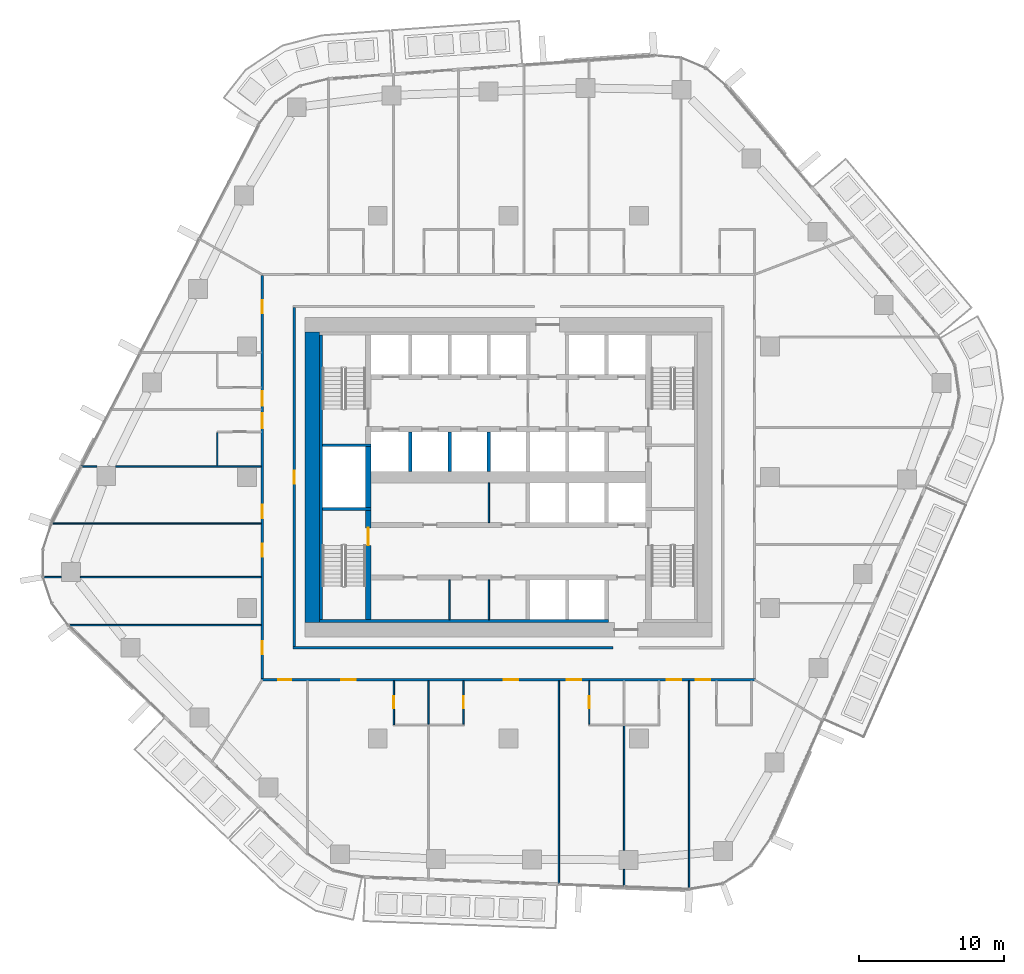
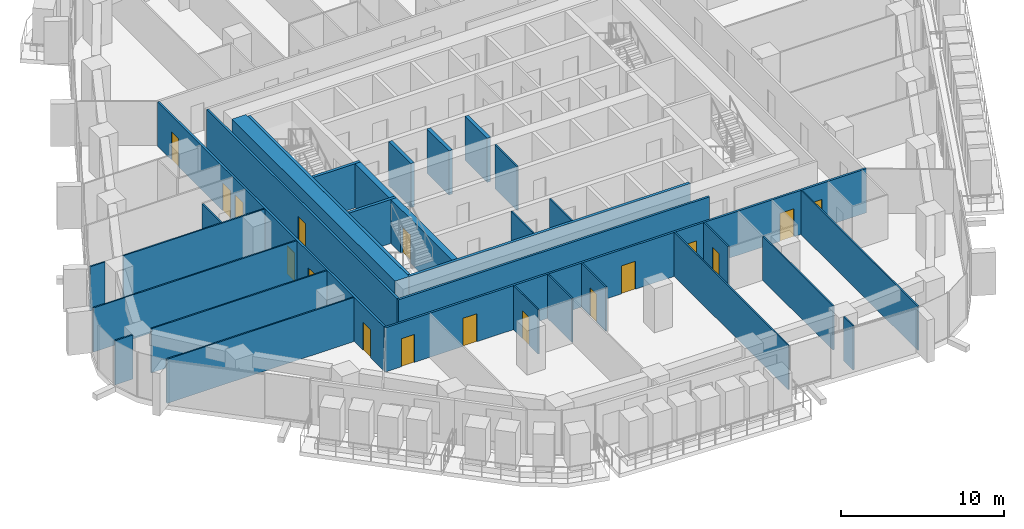
# One storey, part 12 of 24: 32 walls, 17 doors, 17 openings.
"""IFC4 building model written with IfcOpenShell, lengths in metres."""

from ifc_helpers import new_model, si_unit, direction, frame, frame_2d, origin, place, context, subcontext, project, spatial, rectangle, extrude, material, layer, layer_set, type_object, element, fill, save


model = new_model("IFC4")

# Units and contexts
model_context = context("Model", 3, precision=1e-05, world=origin(), true_north=direction((0.0, 1.0)))
body_context = subcontext(model_context, "Body", "Model", "MODEL_VIEW")
ifc_project = project(units=[si_unit("LENGTHUNIT", "METRE"), si_unit("AREAUNIT", "SQUARE_METRE"), si_unit("VOLUMEUNIT", "CUBIC_METRE"), si_unit("PLANEANGLEUNIT", "RADIAN"), si_unit("MASSUNIT", "GRAM", prefix="KILO")], contexts=[model_context])

# Site, building, storey
site_placement = place(None, origin())
site = spatial("IfcSite", under=ifc_project, at=site_placement, CompositionType="ELEMENT")
building_placement = place(site_placement, origin())
building = spatial("IfcBuilding", under=site, at=building_placement, Name="Dongbaek Canopy Tower", CompositionType="ELEMENT")
storey_placement = place(building_placement, frame((0.0, 0.0, 110.0)))
storey = spatial("IfcBuildingStorey", under=building, at=storey_placement, Name="L23", CompositionType="ELEMENT", Elevation=110.0)

# Walls
ifc_material_1 = material(Name="Concrete C60/75", Category="concrete")
ifc_layer_1 = layer(ifc_material_1, 1.0)
ifc_layer_set_1 = layer_set([ifc_layer_1], Name="Core outer wall 1000 Concrete C60/75")
wall_type_1 = type_object("IfcWallType", Name="Core outer wall 1000 Concrete C60/75", PredefinedType="SHEAR", material=ifc_layer_set_1)
wall_1_placement = place(storey_placement, frame((-13.5, -10.0, 0.0), z_axis=(0.0, 0.0, 1.0), x_axis=(0.0, 1.0, 0.0)))
element("IfcWall", 1, at=wall_1_placement, inside=storey, type_object=wall_type_1, Name="Core wall", PredefinedType="SHEAR", context=body_context, shape_type="SweptSolid", body=[
    extrude(rectangle(XDim=20.0, YDim=1.0, at=frame_2d((10.0, 0.0))), origin(), (0.0, 0.0, 1.0), 3.300048828125),
])
ifc_material_2 = material(Name="Concrete C60/75", Category="concrete")
ifc_layer_2 = layer(ifc_material_2, 0.199951171875)
ifc_layer_set_2 = layer_set([ifc_layer_2], Name="Core wall lining 200 Concrete C60/75")
wall_type_2 = type_object("IfcWallType", Name="Core wall lining 200 Concrete C60/75", PredefinedType="SHEAR", material=ifc_layer_set_2)
wall_2_placement = place(storey_placement, frame((6.89990234375, -9.89990234375, 0.0), z_axis=(0.0, 0.0, 1.0), x_axis=(-1.0, 0.0, 0.0)))
element("IfcWall", 2, at=wall_2_placement, inside=storey, type_object=wall_type_2, Name="Core wall lining", PredefinedType="SHEAR", context=body_context, shape_type="SweptSolid", body=[
    extrude(rectangle(XDim=19.89990234375, YDim=0.199951171875, at=frame_2d((9.949951171875, 0.0))), origin(), (0.0, 0.0, 1.0), 3.300048828125),
])
wall_3_placement = place(storey_placement, frame((-12.89990234375, -9.800048828125, 0.0), z_axis=(0.0, 0.0, 1.0), x_axis=(0.0, 1.0, 0.0)))
element("IfcWall", 3, at=wall_3_placement, inside=storey, type_object=wall_type_2, Name="Core wall lining", PredefinedType="SHEAR", context=body_context, shape_type="SweptSolid", body=[
    extrude(rectangle(XDim=19.60009765625, YDim=0.199951171875, at=frame_2d((9.800048828125, 0.0))), origin(), (0.0, 0.0, 1.0), 3.300048828125),
])

# Wall, openings, doors
ifc_material_3 = material(Name="Gypsum board partition, steel stud, 2 x 15 mm fire board", Category="steel")
ifc_layer_3 = layer(ifc_material_3, 0.14990234375)
ifc_layer_set_3 = layer_set([ifc_layer_3], Name="Fire-rated partition 150 gypsum board")
wall_type_3 = type_object("IfcWallType", Name="Fire-rated partition 150 gypsum board", PredefinedType="PARTITIONING", material=ifc_layer_set_3)
wall_4_placement = place(storey_placement, frame((17.02490234375, -13.949951171875, 0.0), z_axis=(0.0, 0.0, 1.0), x_axis=(-1.0, 0.0, 0.0)))
wall_4 = element("IfcWall", 4, at=wall_4_placement, inside=storey, type_object=wall_type_3, Name="Corridor partition", PredefinedType="PARTITIONING", context=body_context, shape_type="SweptSolid", body=[
    extrude(rectangle(XDim=34.0498046875, YDim=0.14990234375, at=frame_2d((17.02490234375, 0.0))), origin(), (0.0, 0.0, 1.0), 3.300048828125),
])
opening_1_placement = place(wall_4_placement, frame((31.9736328125, 0.0, 0.0)))
opening_1 = element("IfcOpeningElement", 5, at=opening_1_placement, cuts=wall_4, Name="Opening L23-D004", PredefinedType="OPENING", context=body_context, shape_type="SweptSolid", body=[
    extrude(rectangle(XDim=0.89990234375, YDim=2.10009765625, at=frame_2d((0.449951171875, 1.050048828125))), frame((0.0, 0.0849609375, 0.0), z_axis=(0.0, -1.0, 0.0), x_axis=(1.0, 0.0, 0.0)), (0.0, 0.0, 1.0), 0.169921875),
])
opening_2_placement = place(wall_4_placement, frame((27.543212890625, 0.0, 0.0)))
opening_2 = element("IfcOpeningElement", 6, at=opening_2_placement, cuts=wall_4, Name="Opening L23-D006", PredefinedType="OPENING", context=body_context, shape_type="SweptSolid", body=[
    extrude(rectangle(XDim=1.0, YDim=2.10009765625, at=frame_2d((0.5, 1.050048828125))), frame((0.0, 0.0849609375, 0.0), z_axis=(0.0, -1.0, 0.0), x_axis=(1.0, 0.0, 0.0)), (0.0, 0.0, 1.0), 0.169921875),
])
opening_3_placement = place(wall_4_placement, frame((16.332763671875, 0.0, 0.0)))
opening_3 = element("IfcOpeningElement", 7, at=opening_3_placement, cuts=wall_4, Name="Opening L23-D008", PredefinedType="OPENING", context=body_context, shape_type="SweptSolid", body=[
    extrude(rectangle(XDim=1.0, YDim=2.10009765625, at=frame_2d((0.5, 1.050048828125))), frame((0.0, 0.0849609375, 0.0), z_axis=(0.0, -1.0, 0.0), x_axis=(1.0, 0.0, 0.0)), (0.0, 0.0, 1.0), 0.169921875),
])
opening_4_placement = place(wall_4_placement, frame((12.005615234375, 0.0, 0.0)))
opening_4 = element("IfcOpeningElement", 8, at=opening_4_placement, cuts=wall_4, Name="Opening L23-D010", PredefinedType="OPENING", context=body_context, shape_type="SweptSolid", body=[
    extrude(rectangle(XDim=1.0, YDim=2.10009765625, at=frame_2d((0.5, 1.050048828125))), frame((0.0, 0.0849609375, 0.0), z_axis=(0.0, -1.0, 0.0), x_axis=(1.0, 0.0, 0.0)), (0.0, 0.0, 1.0), 0.169921875),
])
opening_5_placement = place(wall_4_placement, frame((5.123779296875, 0.0, 0.0)))
opening_5 = element("IfcOpeningElement", 9, at=opening_5_placement, cuts=wall_4, Name="Opening L23-D012", PredefinedType="OPENING", context=body_context, shape_type="SweptSolid", body=[
    extrude(rectangle(XDim=1.0, YDim=2.10009765625, at=frame_2d((0.5, 1.050048828125))), frame((0.0, 0.0849609375, 0.0), z_axis=(0.0, -1.0, 0.0), x_axis=(1.0, 0.0, 0.0)), (0.0, 0.0, 1.0), 0.169921875),
])
opening_6_placement = place(wall_4_placement, frame((3.14404296875, 0.0, 0.0)))
opening_6 = element("IfcOpeningElement", 10, at=opening_6_placement, cuts=wall_4, Name="Opening L23-D014", PredefinedType="OPENING", context=body_context, shape_type="SweptSolid", body=[
    extrude(rectangle(XDim=1.0, YDim=2.10009765625, at=frame_2d((0.5, 1.050048828125))), frame((0.0, 0.0849609375, 0.0), z_axis=(0.0, -1.0, 0.0), x_axis=(1.0, 0.0, 0.0)), (0.0, 0.0, 1.0), 0.169921875),
])
ifc_material_4 = material(Name="Timber veneered door leaf", Category="wood")
door_type_1 = type_object("IfcDoorType", Name="Guest room door 1000 x 2100", OperationType="SINGLE_SWING_LEFT", PredefinedType="DOOR", material=ifc_material_4)
door_1_placement = place(opening_2_placement, origin())
door_1 = element("IfcDoor", 11, at=door_1_placement, inside=storey, type_object=door_type_1, Name="Door L23-D006", OperationType="SINGLE_SWING_LEFT", OverallHeight=2.10009765625, OverallWidth=1.0, PredefinedType="DOOR", context=body_context, shape_type="SweptSolid", body=[
    extrude(rectangle(XDim=1.0, YDim=2.10009765625, at=frame_2d((0.5, 1.050048828125))), frame((0.0, 0.02490234375, 0.0), z_axis=(0.0, -1.0, 0.0), x_axis=(1.0, 0.0, 0.0)), (0.0, 0.0, 1.0), 0.050048828125),
])
fill(opening_2, door_1)
door_2_placement = place(opening_3_placement, origin())
door_2 = element("IfcDoor", 12, at=door_2_placement, inside=storey, type_object=door_type_1, Name="Door L23-D008", OperationType="SINGLE_SWING_RIGHT", OverallHeight=2.10009765625, OverallWidth=1.0, PredefinedType="DOOR", context=body_context, shape_type="SweptSolid", body=[
    extrude(rectangle(XDim=1.0, YDim=2.10009765625, at=frame_2d((0.5, 1.050048828125))), frame((0.0, 0.02490234375, 0.0), z_axis=(0.0, -1.0, 0.0), x_axis=(1.0, 0.0, 0.0)), (0.0, 0.0, 1.0), 0.050048828125),
])
fill(opening_3, door_2)
door_3_placement = place(opening_4_placement, origin())
door_3 = element("IfcDoor", 13, at=door_3_placement, inside=storey, type_object=door_type_1, Name="Door L23-D010", OperationType="SINGLE_SWING_LEFT", OverallHeight=2.10009765625, OverallWidth=1.0, PredefinedType="DOOR", context=body_context, shape_type="SweptSolid", body=[
    extrude(rectangle(XDim=1.0, YDim=2.10009765625, at=frame_2d((0.5, 1.050048828125))), frame((0.0, 0.02490234375, 0.0), z_axis=(0.0, -1.0, 0.0), x_axis=(1.0, 0.0, 0.0)), (0.0, 0.0, 1.0), 0.050048828125),
])
fill(opening_4, door_3)
door_4_placement = place(opening_5_placement, origin())
door_4 = element("IfcDoor", 14, at=door_4_placement, inside=storey, type_object=door_type_1, Name="Door L23-D012", OperationType="SINGLE_SWING_RIGHT", OverallHeight=2.10009765625, OverallWidth=1.0, PredefinedType="DOOR", context=body_context, shape_type="SweptSolid", body=[
    extrude(rectangle(XDim=1.0, YDim=2.10009765625, at=frame_2d((0.5, 1.050048828125))), frame((0.0, 0.02490234375, 0.0), z_axis=(0.0, -1.0, 0.0), x_axis=(1.0, 0.0, 0.0)), (0.0, 0.0, 1.0), 0.050048828125),
])
fill(opening_5, door_4)
door_5_placement = place(opening_6_placement, origin())
door_5 = element("IfcDoor", 15, at=door_5_placement, inside=storey, type_object=door_type_1, Name="Door L23-D014", OperationType="SINGLE_SWING_LEFT", OverallHeight=2.10009765625, OverallWidth=1.0, PredefinedType="DOOR", context=body_context, shape_type="SweptSolid", body=[
    extrude(rectangle(XDim=1.0, YDim=2.10009765625, at=frame_2d((0.5, 1.050048828125))), frame((0.0, 0.02490234375, 0.0), z_axis=(0.0, -1.0, 0.0), x_axis=(1.0, 0.0, 0.0)), (0.0, 0.0, 1.0), 0.050048828125),
])
fill(opening_6, door_5)
ifc_material_5 = material(Name="Timber veneered door leaf", Category="wood")
door_type_2 = type_object("IfcDoorType", Name="Room door 900 x 2100", OperationType="SINGLE_SWING_LEFT", PredefinedType="DOOR", material=ifc_material_5)
door_6_placement = place(opening_1_placement, origin())
door_6 = element("IfcDoor", 16, at=door_6_placement, inside=storey, type_object=door_type_2, Name="Door L23-D004", OperationType="SINGLE_SWING_RIGHT", OverallHeight=2.10009765625, OverallWidth=0.89990234375, PredefinedType="DOOR", context=body_context, shape_type="SweptSolid", body=[
    extrude(rectangle(XDim=0.89990234375, YDim=2.10009765625, at=frame_2d((0.449951171875, 1.050048828125))), frame((0.0, 0.02490234375, 0.0), z_axis=(0.0, -1.0, 0.0), x_axis=(1.0, 0.0, 0.0)), (0.0, 0.0, 1.0), 0.050048828125),
])
fill(opening_1, door_6)

# Wall
wall_5_placement = place(storey_placement, frame((-14.824951171875, -11.75, 0.0), z_axis=(0.0, 0.0, 1.0), x_axis=(1.0, 0.0, 0.0)))
element("IfcWall", 17, at=wall_5_placement, inside=storey, type_object=wall_type_3, Name="Corridor partition", PredefinedType="PARTITIONING", context=body_context, shape_type="SweptSolid", body=[
    extrude(rectangle(XDim=22.02490234375, YDim=0.14990234375, at=frame_2d((11.012451171875, 0.0))), origin(), (0.0, 0.0, 1.0), 3.300048828125),
])

# Wall, opening, door
wall_6_placement = place(storey_placement, frame((-14.75, 11.675048828125, 0.0), z_axis=(0.0, 0.0, 1.0), x_axis=(0.0, -1.0, 0.0)))
wall_6 = element("IfcWall", 18, at=wall_6_placement, inside=storey, type_object=wall_type_3, Name="Corridor partition", PredefinedType="PARTITIONING", context=body_context, shape_type="SweptSolid", body=[
    extrude(rectangle(XDim=23.35009765625, YDim=0.14990234375, at=frame_2d((11.675048828125, 0.0))), origin(), (0.0, 0.0, 1.0), 3.300048828125),
])
opening_7_placement = place(wall_6_placement, frame((11.22509765625, 0.0, 0.0)))
opening_7 = element("IfcOpeningElement", 19, at=opening_7_placement, cuts=wall_6, Name="Opening L23-D039", PredefinedType="OPENING", context=body_context, shape_type="SweptSolid", body=[
    extrude(rectangle(XDim=0.89990234375, YDim=2.10009765625, at=frame_2d((0.449951171875, 1.050048828125))), frame((0.0, 0.0849609375, 0.0), z_axis=(0.0, -1.0, 0.0), x_axis=(1.0, 0.0, 0.0)), (0.0, 0.0, 1.0), 0.169921875),
])
door_7_placement = place(opening_7_placement, origin())
door_7 = element("IfcDoor", 20, at=door_7_placement, inside=storey, type_object=door_type_2, Name="Door L23-D039", OperationType="SINGLE_SWING_RIGHT", OverallHeight=2.10009765625, OverallWidth=0.89990234375, PredefinedType="DOOR", context=body_context, shape_type="SweptSolid", body=[
    extrude(rectangle(XDim=0.89990234375, YDim=2.10009765625, at=frame_2d((0.449951171875, 1.050048828125))), frame((0.0, 0.02490234375, 0.0), z_axis=(0.0, -1.0, 0.0), x_axis=(1.0, 0.0, 0.0)), (0.0, 0.0, 1.0), 0.050048828125),
])
fill(opening_7, door_7)

# Wall, openings, doors
wall_7_placement = place(storey_placement, frame((-16.949951171875, -13.875, 0.0), z_axis=(0.0, 0.0, 1.0), x_axis=(0.0, 1.0, 0.0)))
wall_7 = element("IfcWall", 21, at=wall_7_placement, inside=storey, type_object=wall_type_3, Name="Corridor partition", PredefinedType="PARTITIONING", context=body_context, shape_type="SweptSolid", body=[
    extrude(rectangle(XDim=27.75, YDim=0.14990234375, at=frame_2d((13.875, 0.0))), origin(), (0.0, 0.0, 1.0), 3.300048828125),
])
opening_8_placement = place(wall_7_placement, frame((11.059814453125, 0.0, 0.0)))
opening_8 = element("IfcOpeningElement", 22, at=opening_8_placement, cuts=wall_7, Name="Opening L23-D001", PredefinedType="OPENING", context=body_context, shape_type="SweptSolid", body=[
    extrude(rectangle(XDim=0.89990234375, YDim=2.10009765625, at=frame_2d((0.449951171875, 1.050048828125))), frame((0.0, 0.0849609375, 0.0), z_axis=(0.0, -1.0, 0.0), x_axis=(1.0, 0.0, 0.0)), (0.0, 0.0, 1.0), 0.169921875),
])
opening_9_placement = place(wall_7_placement, frame((8.386962890625, 0.0, 0.0)))
opening_9 = element("IfcOpeningElement", 23, at=opening_9_placement, cuts=wall_7, Name="Opening L23-D002", PredefinedType="OPENING", context=body_context, shape_type="SweptSolid", body=[
    extrude(rectangle(XDim=0.89990234375, YDim=2.10009765625, at=frame_2d((0.449951171875, 1.050048828125))), frame((0.0, 0.0849609375, 0.0), z_axis=(0.0, -1.0, 0.0), x_axis=(1.0, 0.0, 0.0)), (0.0, 0.0, 1.0), 0.169921875),
])
opening_10_placement = place(wall_7_placement, frame((1.665771484375, 0.0, 0.0)))
opening_10 = element("IfcOpeningElement", 24, at=opening_10_placement, cuts=wall_7, Name="Opening L23-D003", PredefinedType="OPENING", context=body_context, shape_type="SweptSolid", body=[
    extrude(rectangle(XDim=0.89990234375, YDim=2.10009765625, at=frame_2d((0.449951171875, 1.050048828125))), frame((0.0, 0.0849609375, 0.0), z_axis=(0.0, -1.0, 0.0), x_axis=(1.0, 0.0, 0.0)), (0.0, 0.0, 1.0), 0.169921875),
])
opening_11_placement = place(wall_7_placement, frame((25.151611328125, 0.0, 0.0)))
opening_11 = element("IfcOpeningElement", 25, at=opening_11_placement, cuts=wall_7, Name="Opening L23-D034", PredefinedType="OPENING", context=body_context, shape_type="SweptSolid", body=[
    extrude(rectangle(XDim=0.89990234375, YDim=2.10009765625, at=frame_2d((0.449951171875, 1.050048828125))), frame((0.0, 0.0849609375, 0.0), z_axis=(0.0, -1.0, 0.0), x_axis=(1.0, 0.0, 0.0)), (0.0, 0.0, 1.0), 0.169921875),
])
opening_12_placement = place(wall_7_placement, frame((18.78173828125, 0.0, 0.0)))
opening_12 = element("IfcOpeningElement", 26, at=opening_12_placement, cuts=wall_7, Name="Opening L23-D036", PredefinedType="OPENING", context=body_context, shape_type="SweptSolid", body=[
    extrude(rectangle(XDim=1.0, YDim=2.10009765625, at=frame_2d((0.5, 1.050048828125))), frame((0.0, 0.0849609375, 0.0), z_axis=(0.0, -1.0, 0.0), x_axis=(1.0, 0.0, 0.0)), (0.0, 0.0, 1.0), 0.169921875),
])
opening_13_placement = place(wall_7_placement, frame((17.259765625, 0.0, 0.0)))
opening_13 = element("IfcOpeningElement", 27, at=opening_13_placement, cuts=wall_7, Name="Opening L23-D038", PredefinedType="OPENING", context=body_context, shape_type="SweptSolid", body=[
    extrude(rectangle(XDim=1.0, YDim=2.10009765625, at=frame_2d((0.5, 1.050048828125))), frame((0.0, 0.0849609375, 0.0), z_axis=(0.0, -1.0, 0.0), x_axis=(1.0, 0.0, 0.0)), (0.0, 0.0, 1.0), 0.169921875),
])
door_8_placement = place(opening_12_placement, origin())
door_8 = element("IfcDoor", 28, at=door_8_placement, inside=storey, type_object=door_type_1, Name="Door L23-D036", OperationType="SINGLE_SWING_RIGHT", OverallHeight=2.10009765625, OverallWidth=1.0, PredefinedType="DOOR", context=body_context, shape_type="SweptSolid", body=[
    extrude(rectangle(XDim=1.0, YDim=2.10009765625, at=frame_2d((0.5, 1.050048828125))), frame((0.0, 0.02490234375, 0.0), z_axis=(0.0, -1.0, 0.0), x_axis=(1.0, 0.0, 0.0)), (0.0, 0.0, 1.0), 0.050048828125),
])
fill(opening_12, door_8)
door_9_placement = place(opening_13_placement, origin())
door_9 = element("IfcDoor", 29, at=door_9_placement, inside=storey, type_object=door_type_1, Name="Door L23-D038", OperationType="SINGLE_SWING_LEFT", OverallHeight=2.10009765625, OverallWidth=1.0, PredefinedType="DOOR", context=body_context, shape_type="SweptSolid", body=[
    extrude(rectangle(XDim=1.0, YDim=2.10009765625, at=frame_2d((0.5, 1.050048828125))), frame((0.0, 0.02490234375, 0.0), z_axis=(0.0, -1.0, 0.0), x_axis=(1.0, 0.0, 0.0)), (0.0, 0.0, 1.0), 0.050048828125),
])
fill(opening_13, door_9)
door_10_placement = place(opening_8_placement, origin())
door_10 = element("IfcDoor", 30, at=door_10_placement, inside=storey, type_object=door_type_2, Name="Door L23-D001", OperationType="SINGLE_SWING_RIGHT", OverallHeight=2.10009765625, OverallWidth=0.89990234375, PredefinedType="DOOR", context=body_context, shape_type="SweptSolid", body=[
    extrude(rectangle(XDim=0.89990234375, YDim=2.10009765625, at=frame_2d((0.449951171875, 1.050048828125))), frame((0.0, 0.02490234375, 0.0), z_axis=(0.0, -1.0, 0.0), x_axis=(1.0, 0.0, 0.0)), (0.0, 0.0, 1.0), 0.050048828125),
])
fill(opening_8, door_10)
door_11_placement = place(opening_9_placement, origin())
door_11 = element("IfcDoor", 31, at=door_11_placement, inside=storey, type_object=door_type_2, Name="Door L23-D002", OperationType="SINGLE_SWING_LEFT", OverallHeight=2.10009765625, OverallWidth=0.89990234375, PredefinedType="DOOR", context=body_context, shape_type="SweptSolid", body=[
    extrude(rectangle(XDim=0.89990234375, YDim=2.10009765625, at=frame_2d((0.449951171875, 1.050048828125))), frame((0.0, 0.02490234375, 0.0), z_axis=(0.0, -1.0, 0.0), x_axis=(1.0, 0.0, 0.0)), (0.0, 0.0, 1.0), 0.050048828125),
])
fill(opening_9, door_11)
door_12_placement = place(opening_10_placement, origin())
door_12 = element("IfcDoor", 32, at=door_12_placement, inside=storey, type_object=door_type_2, Name="Door L23-D003", OperationType="SINGLE_SWING_LEFT", OverallHeight=2.10009765625, OverallWidth=0.89990234375, PredefinedType="DOOR", context=body_context, shape_type="SweptSolid", body=[
    extrude(rectangle(XDim=0.89990234375, YDim=2.10009765625, at=frame_2d((0.449951171875, 1.050048828125))), frame((0.0, 0.02490234375, 0.0), z_axis=(0.0, -1.0, 0.0), x_axis=(1.0, 0.0, 0.0)), (0.0, 0.0, 1.0), 0.050048828125),
])
fill(opening_10, door_12)
door_13_placement = place(opening_11_placement, origin())
door_13 = element("IfcDoor", 33, at=door_13_placement, inside=storey, type_object=door_type_2, Name="Door L23-D034", OperationType="SINGLE_SWING_LEFT", OverallHeight=2.10009765625, OverallWidth=0.89990234375, PredefinedType="DOOR", context=body_context, shape_type="SweptSolid", body=[
    extrude(rectangle(XDim=0.89990234375, YDim=2.10009765625, at=frame_2d((0.449951171875, 1.050048828125))), frame((0.0, 0.02490234375, 0.0), z_axis=(0.0, -1.0, 0.0), x_axis=(1.0, 0.0, 0.0)), (0.0, 0.0, 1.0), 0.050048828125),
])
fill(opening_11, door_13)

# Walls
ifc_material_6 = material(Name="Concrete C40/50", Category="concrete")
ifc_layer_4 = layer(ifc_material_6, 0.25)
ifc_layer_set_4 = layer_set([ifc_layer_4], Name="Lift shaft wall 250 Concrete C40/50")
wall_type_4 = type_object("IfcWallType", Name="Lift shaft wall 250 Concrete C40/50", PredefinedType="SOLIDWALL", material=ifc_layer_set_4)
for number, where, z_axis, x_axis, name in (
    (34, (-1.35009765625, 0.39990234375, 0.0), (0.0, 0.0, 1.0), (0.0, 1.0, 0.0), "Lift shaft wall"),
    (35, (-4.050048828125, 0.39990234375, 0.0), (0.0, 0.0, 1.0), (0.0, 1.0, 0.0), "Lift shaft wall"),
    (36, (-6.75, 0.39990234375, 0.0), (0.0, 0.0, 1.0), (0.0, 1.0, 0.0), "Lift shaft wall"),
):
    element("IfcWall", number, at=place(storey_placement, frame(where, z_axis=z_axis, x_axis=x_axis)), inside=storey, type_object=wall_type_4, Name=name, PredefinedType="SOLIDWALL", context=body_context, shape_type="SweptSolid", body=[
        extrude(rectangle(XDim=2.72509765625, YDim=0.25, at=frame_2d((1.362548828125, 0.0))), origin(), (0.0, 0.0, 1.0), 3.300048828125),
    ])
ifc_material_7 = material(Name="Gypsum board partition, steel stud, 2 x 12.5 mm board", Category="steel")
ifc_layer_5 = layer(ifc_material_7, 0.10009765625)
ifc_layer_set_5 = layer_set([ifc_layer_5], Name="Partition 100 gypsum board")
wall_type_5 = type_object("IfcWallType", Name="Partition 100 gypsum board", PredefinedType="PARTITIONING", material=ifc_layer_set_5)
wall_8_placement = place(storey_placement, frame((-30.268310546875, -10.19091796875, 0.0), z_axis=(0.0, 0.0, 1.0), x_axis=(1.0, 0.0, 0.0)))
element("IfcWall", 37, at=wall_8_placement, inside=storey, type_object=wall_type_5, Name="Partition", PredefinedType="PARTITIONING", context=body_context, shape_type="SweptSolid", body=[
    extrude(rectangle(XDim=13.243408203125, YDim=0.10009765625, at=frame_2d((6.62158203125, 0.0))), origin(), (0.0, 0.0, 1.0), 3.300048828125),
])
wall_9_placement = place(storey_placement, frame((-32.02685546875, -6.885009765625, 0.0), z_axis=(0.0, 0.0, 1.0), x_axis=(1.0, 0.0, 0.0)))
element("IfcWall", 38, at=wall_9_placement, inside=storey, type_object=wall_type_5, Name="Partition", PredefinedType="PARTITIONING", context=body_context, shape_type="SweptSolid", body=[
    extrude(rectangle(XDim=1.251953125, YDim=0.10009765625, at=frame_2d((0.6259765625, 0.0))), origin(), (0.0, 0.0, 1.0), 3.300048828125),
])
wall_10_placement = place(storey_placement, frame((-29.47509765625, -6.885009765625, 0.0), z_axis=(0.0, 0.0, 1.0), x_axis=(1.0, 0.0, 0.0)))
element("IfcWall", 39, at=wall_10_placement, inside=storey, type_object=wall_type_5, Name="Partition", PredefinedType="PARTITIONING", context=body_context, shape_type="SweptSolid", body=[
    extrude(rectangle(XDim=12.4501953125, YDim=0.10009765625, at=frame_2d((6.22509765625, 0.0))), origin(), (0.0, 0.0, 1.0), 3.300048828125),
])
wall_11_placement = place(storey_placement, frame((-31.43896484375, -3.19091796875, 0.0), z_axis=(0.0, 0.0, 1.0), x_axis=(1.0, 0.0, 0.0)))
element("IfcWall", 40, at=wall_11_placement, inside=storey, type_object=wall_type_5, Name="Partition", PredefinedType="PARTITIONING", context=body_context, shape_type="SweptSolid", body=[
    extrude(rectangle(XDim=14.4140625, YDim=0.10009765625, at=frame_2d((7.20703125, 0.0))), origin(), (0.0, 0.0, 1.0), 3.300048828125),
])
wall_12_placement = place(storey_placement, frame((-29.406005859375, 0.72412109375, 0.0), z_axis=(0.0, 0.0, 1.0), x_axis=(1.0, 0.0, 0.0)))
element("IfcWall", 41, at=wall_12_placement, inside=storey, type_object=wall_type_5, Name="Partition", PredefinedType="PARTITIONING", context=body_context, shape_type="SweptSolid", body=[
    extrude(rectangle(XDim=1.06298828125, YDim=0.10009765625, at=frame_2d((0.531494140625, 0.0))), origin(), (0.0, 0.0, 1.0), 3.300048828125),
])
wall_13_placement = place(storey_placement, frame((-27.04296875, 0.72412109375, 0.0), z_axis=(0.0, 0.0, 1.0), x_axis=(1.0, 0.0, 0.0)))
element("IfcWall", 42, at=wall_13_placement, inside=storey, type_object=wall_type_5, Name="Partition", PredefinedType="PARTITIONING", context=body_context, shape_type="SweptSolid", body=[
    extrude(rectangle(XDim=10.01806640625, YDim=0.10009765625, at=frame_2d((5.009033203125, 0.0))), origin(), (0.0, 0.0, 1.0), 3.300048828125),
])
wall_14_placement = place(storey_placement, frame((12.43994140625, -28.33447265625, 0.0), z_axis=(0.0, 0.0, 1.0), x_axis=(0.0, 1.0, 0.0)))
element("IfcWall", 43, at=wall_14_placement, inside=storey, type_object=wall_type_5, Name="Partition", PredefinedType="PARTITIONING", context=body_context, shape_type="SweptSolid", body=[
    extrude(rectangle(XDim=14.3095703125, YDim=0.10009765625, at=frame_2d((7.15478515625, 0.0))), origin(), (0.0, 0.0, 1.0), 3.300048828125),
])
wall_15_placement = place(storey_placement, frame((7.962890625, -28.169677734375, 0.0), z_axis=(0.0, 0.0, 1.0), x_axis=(0.0, 1.0, 0.0)))
element("IfcWall", 44, at=wall_15_placement, inside=storey, type_object=wall_type_5, Name="Partition", PredefinedType="PARTITIONING", context=body_context, shape_type="SweptSolid", body=[
    extrude(rectangle(XDim=1.170654296875, YDim=0.10009765625, at=frame_2d((0.58544921875, 0.0))), origin(), (0.0, 0.0, 1.0), 3.300048828125),
])
wall_16_placement = place(storey_placement, frame((7.962890625, -25.698974609375, 0.0), z_axis=(0.0, 0.0, 1.0), x_axis=(0.0, 1.0, 0.0)))
element("IfcWall", 45, at=wall_16_placement, inside=storey, type_object=wall_type_5, Name="Partition", PredefinedType="PARTITIONING", context=body_context, shape_type="SweptSolid", body=[
    extrude(rectangle(XDim=8.598876953125, YDim=0.10009765625, at=frame_2d((4.29931640625, 0.0))), origin(), (0.0, 0.0, 1.0), 3.300048828125),
])

# Wall, opening, door
wall_17_placement = place(storey_placement, frame((5.56298828125, -14.02490234375, 0.0), z_axis=(0.0, 0.0, 1.0), x_axis=(0.0, -1.0, 0.0)))
wall_17 = element("IfcWall", 46, at=wall_17_placement, inside=storey, type_object=wall_type_5, Name="Partition", PredefinedType="PARTITIONING", context=body_context, shape_type="SweptSolid", body=[
    extrude(rectangle(XDim=2.97509765625, YDim=0.10009765625, at=frame_2d((1.487548828125, 0.0))), origin(), (0.0, 0.0, 1.0), 3.300048828125),
])
opening_14_placement = place(wall_17_placement, frame((1.074951171875, 0.0, 0.0)))
opening_14 = element("IfcOpeningElement", 47, at=opening_14_placement, cuts=wall_17, Name="Opening L23-D009", PredefinedType="OPENING", context=body_context, shape_type="SweptSolid", body=[
    extrude(rectangle(XDim=0.800048828125, YDim=2.10009765625, at=frame_2d((0.39990234375, 1.050048828125))), frame((0.0, 0.06005859375, 0.0), z_axis=(0.0, -1.0, 0.0), x_axis=(1.0, 0.0, 0.0)), (0.0, 0.0, 1.0), 0.1201171875),
])
ifc_material_8 = material(Name="Timber veneered door leaf", Category="wood")
door_type_3 = type_object("IfcDoorType", Name="En-suite door 800 x 2100", OperationType="SINGLE_SWING_LEFT", PredefinedType="DOOR", material=ifc_material_8)
door_14_placement = place(opening_14_placement, origin())
door_14 = element("IfcDoor", 48, at=door_14_placement, inside=storey, type_object=door_type_3, Name="Door L23-D009", OperationType="SINGLE_SWING_RIGHT", OverallHeight=2.10009765625, OverallWidth=0.800048828125, PredefinedType="DOOR", context=body_context, shape_type="SweptSolid", body=[
    extrude(rectangle(XDim=0.800048828125, YDim=2.10009765625, at=frame_2d((0.39990234375, 1.050048828125))), frame((0.0, 0.02490234375, 0.0), z_axis=(0.0, -1.0, 0.0), x_axis=(1.0, 0.0, 0.0)), (0.0, 0.0, 1.0), 0.050048828125),
])
fill(opening_14, door_14)

# Wall
wall_18_placement = place(storey_placement, frame((3.47607421875, -28.00390625, 0.0), z_axis=(0.0, 0.0, 1.0), x_axis=(0.0, 1.0, 0.0)))
element("IfcWall", 49, at=wall_18_placement, inside=storey, type_object=wall_type_5, Name="Partition", PredefinedType="PARTITIONING", context=body_context, shape_type="SweptSolid", body=[
    extrude(rectangle(XDim=13.97900390625, YDim=0.10009765625, at=frame_2d((6.989501953125, 0.0))), origin(), (0.0, 0.0, 1.0), 3.300048828125),
])

# Wall, opening, door
wall_19_placement = place(storey_placement, frame((-3.092041015625, -17.0, 0.0), z_axis=(0.0, 0.0, 1.0), x_axis=(0.0, 1.0, 0.0)))
wall_19 = element("IfcWall", 50, at=wall_19_placement, inside=storey, type_object=wall_type_5, Name="Partition", PredefinedType="PARTITIONING", context=body_context, shape_type="SweptSolid", body=[
    extrude(rectangle(XDim=2.97509765625, YDim=0.10009765625, at=frame_2d((1.487548828125, 0.0))), origin(), (0.0, 0.0, 1.0), 3.300048828125),
])
opening_15_placement = place(wall_19_placement, frame((1.10009765625, 0.0, 0.0)))
opening_15 = element("IfcOpeningElement", 51, at=opening_15_placement, cuts=wall_19, Name="Opening L23-D007", PredefinedType="OPENING", context=body_context, shape_type="SweptSolid", body=[
    extrude(rectangle(XDim=0.800048828125, YDim=2.10009765625, at=frame_2d((0.39990234375, 1.050048828125))), frame((0.0, 0.06005859375, 0.0), z_axis=(0.0, -1.0, 0.0), x_axis=(1.0, 0.0, 0.0)), (0.0, 0.0, 1.0), 0.1201171875),
])
door_15_placement = place(opening_15_placement, origin())
door_15 = element("IfcDoor", 52, at=door_15_placement, inside=storey, type_object=door_type_3, Name="Door L23-D007", OperationType="SINGLE_SWING_LEFT", OverallHeight=2.10009765625, OverallWidth=0.800048828125, PredefinedType="DOOR", context=body_context, shape_type="SweptSolid", body=[
    extrude(rectangle(XDim=0.800048828125, YDim=2.10009765625, at=frame_2d((0.39990234375, 1.050048828125))), frame((0.0, 0.02490234375, 0.0), z_axis=(0.0, -1.0, 0.0), x_axis=(1.0, 0.0, 0.0)), (0.0, 0.0, 1.0), 0.050048828125),
])
fill(opening_15, door_15)

# Wall
wall_20_placement = place(storey_placement, frame((-5.491943359375, -17.0, 0.0), z_axis=(0.0, 0.0, 1.0), x_axis=(0.0, 1.0, 0.0)))
element("IfcWall", 53, at=wall_20_placement, inside=storey, type_object=wall_type_5, Name="Partition", PredefinedType="PARTITIONING", context=body_context, shape_type="SweptSolid", body=[
    extrude(rectangle(XDim=2.97509765625, YDim=0.10009765625, at=frame_2d((1.487548828125, 0.0))), origin(), (0.0, 0.0, 1.0), 3.300048828125),
])

# Wall, opening, door
wall_21_placement = place(storey_placement, frame((-7.89208984375, -14.02490234375, 0.0), z_axis=(0.0, 0.0, 1.0), x_axis=(0.0, -1.0, 0.0)))
wall_21 = element("IfcWall", 54, at=wall_21_placement, inside=storey, type_object=wall_type_5, Name="Partition", PredefinedType="PARTITIONING", context=body_context, shape_type="SweptSolid", body=[
    extrude(rectangle(XDim=3.025146484375, YDim=0.10009765625, at=frame_2d((1.5126953125, 0.0))), origin(), (0.0, 0.0, 1.0), 3.300048828125),
])
opening_16_placement = place(wall_21_placement, frame((1.074951171875, 0.0, 0.0)))
opening_16 = element("IfcOpeningElement", 55, at=opening_16_placement, cuts=wall_21, Name="Opening L23-D005", PredefinedType="OPENING", context=body_context, shape_type="SweptSolid", body=[
    extrude(rectangle(XDim=0.800048828125, YDim=2.10009765625, at=frame_2d((0.39990234375, 1.050048828125))), frame((0.0, 0.06005859375, 0.0), z_axis=(0.0, -1.0, 0.0), x_axis=(1.0, 0.0, 0.0)), (0.0, 0.0, 1.0), 0.1201171875),
])
door_16_placement = place(opening_16_placement, origin())
door_16 = element("IfcDoor", 56, at=door_16_placement, inside=storey, type_object=door_type_3, Name="Door L23-D005", OperationType="SINGLE_SWING_RIGHT", OverallHeight=2.10009765625, OverallWidth=0.800048828125, PredefinedType="DOOR", context=body_context, shape_type="SweptSolid", body=[
    extrude(rectangle(XDim=0.800048828125, YDim=2.10009765625, at=frame_2d((0.39990234375, 1.050048828125))), frame((0.0, 0.02490234375, 0.0), z_axis=(0.0, -1.0, 0.0), x_axis=(1.0, 0.0, 0.0)), (0.0, 0.0, 1.0), 0.050048828125),
])
fill(opening_16, door_16)

# Walls
wall_22_placement = place(storey_placement, frame((-20.050048828125, 0.77392578125, 0.0), z_axis=(0.0, 0.0, 1.0), x_axis=(0.0, 1.0, 0.0)))
element("IfcWall", 57, at=wall_22_placement, inside=storey, type_object=wall_type_5, Name="Partition", PredefinedType="PARTITIONING", context=body_context, shape_type="SweptSolid", body=[
    extrude(rectangle(XDim=2.300048828125, YDim=0.10009765625, at=frame_2d((1.14990234375, 0.0))), origin(), (0.0, 0.0, 1.0), 3.300048828125),
])
for number, where, z_axis, x_axis, name in (
    (58, (-1.35009765625, -9.800048828125, 0.0), (0.0, 0.0, 1.0), (0.0, 1.0, 0.0), "Core partition"),
    (59, (-1.35009765625, -3.125, 0.0), (0.0, 0.0, 1.0), (0.0, 1.0, 0.0), "Core partition"),
    (60, (-4.050048828125, -9.800048828125, 0.0), (0.0, 0.0, 1.0), (0.0, 1.0, 0.0), "Core partition"),
):
    element("IfcWall", number, at=place(storey_placement, frame(where, z_axis=z_axis, x_axis=x_axis)), inside=storey, type_object=wall_type_5, Name=name, PredefinedType="PARTITIONING", context=body_context, shape_type="SweptSolid", body=[
        extrude(rectangle(XDim=2.72509765625, YDim=0.10009765625, at=frame_2d((1.362548828125, 0.0))), origin(), (0.0, 0.0, 1.0), 3.300048828125),
    ])
ifc_material_9 = material(Name="Concrete C60/75", Category="concrete")
ifc_layer_6 = layer(ifc_material_9, 0.199951171875)
ifc_layer_set_6 = layer_set([ifc_layer_6], Name="Riser wall 200 Concrete C60/75")
wall_type_6 = type_object("IfcWallType", Name="Riser wall 200 Concrete C60/75", PredefinedType="SHEAR", material=ifc_layer_set_6)
for number, where, z_axis, x_axis, name in (
    (61, (-9.449951171875, 2.199951171875, 0.0), (0.0, 0.0, 1.0), (-1.0, 0.0, 0.0), "Riser wall"),
    (62, (-9.449951171875, -2.199951171875, 0.0), (0.0, 0.0, 1.0), (-1.0, 0.0, 0.0), "Riser wall"),
):
    element("IfcWall", number, at=place(storey_placement, frame(where, z_axis=z_axis, x_axis=x_axis)), inside=storey, type_object=wall_type_6, Name=name, PredefinedType="SHEAR", context=body_context, shape_type="SweptSolid", body=[
        extrude(rectangle(XDim=3.35009765625, YDim=0.199951171875, at=frame_2d((1.675048828125, 0.0))), origin(), (0.0, 0.0, 1.0), 3.300048828125),
    ])

# Wall, opening, door
ifc_material_10 = material(Name="Concrete C60/75", Category="concrete")
ifc_layer_7 = layer(ifc_material_10, 0.39990234375)
ifc_layer_set_7 = layer_set([ifc_layer_7], Name="Stair wall 400 Concrete C60/75")
wall_type_7 = type_object("IfcWallType", Name="Stair wall 400 Concrete C60/75", PredefinedType="SHEAR", material=ifc_layer_set_7)
wall_23_placement = place(storey_placement, frame((-9.64990234375, -9.800048828125, 0.0), z_axis=(0.0, 0.0, 1.0), x_axis=(0.0, 1.0, 0.0)))
wall_23 = element("IfcWall", 63, at=wall_23_placement, inside=storey, type_object=wall_type_7, Name="Stair wall", PredefinedType="SHEAR", context=body_context, shape_type="SweptSolid", body=[
    extrude(rectangle(XDim=7.5, YDim=0.39990234375, at=frame_2d((3.75, 0.0))), origin(), (0.0, 0.0, 1.0), 3.300048828125),
])
opening_17_placement = place(wall_23_placement, frame((5.10009765625, 0.0, 0.0)))
opening_17 = element("IfcOpeningElement", 64, at=opening_17_placement, cuts=wall_23, Name="Opening L23-D068", PredefinedType="OPENING", context=body_context, shape_type="SweptSolid", body=[
    extrude(rectangle(XDim=1.199951171875, YDim=2.10009765625, at=frame_2d((0.60009765625, 1.050048828125))), frame((0.0, 0.2099609375, 0.0), z_axis=(0.0, -1.0, 0.0), x_axis=(1.0, 0.0, 0.0)), (0.0, 0.0, 1.0), 0.419921875),
])
ifc_material_11 = material(Name="Steel", Category="steel")
door_type_4 = type_object("IfcDoorType", Name="Stair door 1200 x 2100", OperationType="SINGLE_SWING_LEFT", PredefinedType="DOOR", material=ifc_material_11)
door_17_placement = place(opening_17_placement, origin())
door_17 = element("IfcDoor", 65, at=door_17_placement, inside=storey, type_object=door_type_4, Name="Stair D door", OperationType="SINGLE_SWING_LEFT", OverallHeight=2.10009765625, OverallWidth=1.199951171875, PredefinedType="DOOR", context=body_context, shape_type="SweptSolid", body=[
    extrude(rectangle(XDim=1.199951171875, YDim=2.10009765625, at=frame_2d((0.60009765625, 1.050048828125))), frame((0.0, 0.02490234375, 0.0), z_axis=(0.0, -1.0, 0.0), x_axis=(1.0, 0.0, 0.0)), (0.0, 0.0, 1.0), 0.050048828125),
])
fill(opening_17, door_17)

# Wall
wall_24_placement = place(storey_placement, frame((-9.64990234375, -2.10009765625, 0.0), z_axis=(0.0, 0.0, 1.0), x_axis=(0.0, 1.0, 0.0)))
element("IfcWall", 66, at=wall_24_placement, inside=storey, type_object=wall_type_7, Name="Stair wall", PredefinedType="SHEAR", context=body_context, shape_type="SweptSolid", body=[
    extrude(rectangle(XDim=4.2001953125, YDim=0.39990234375, at=frame_2d((2.10009765625, 0.0))), origin(), (0.0, 0.0, 1.0), 3.300048828125),
])

save(model, "model.ifc")
